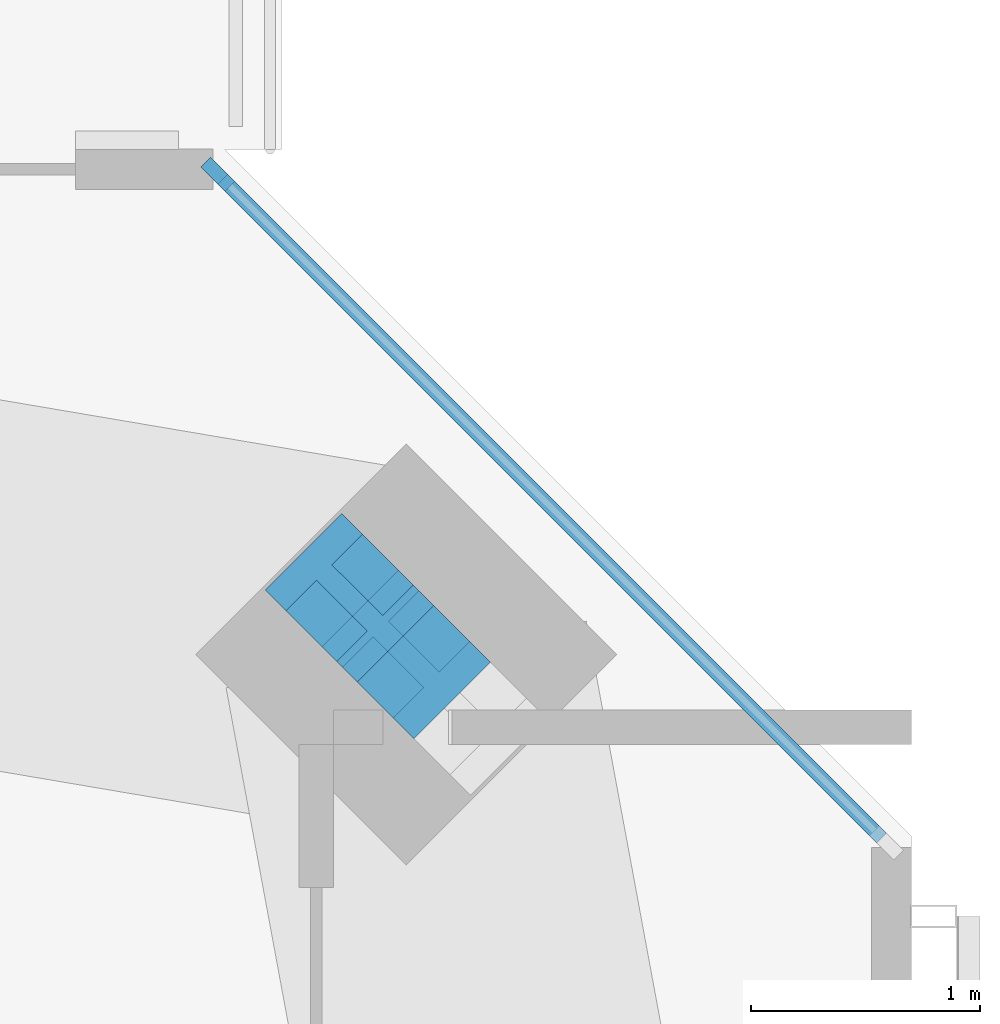
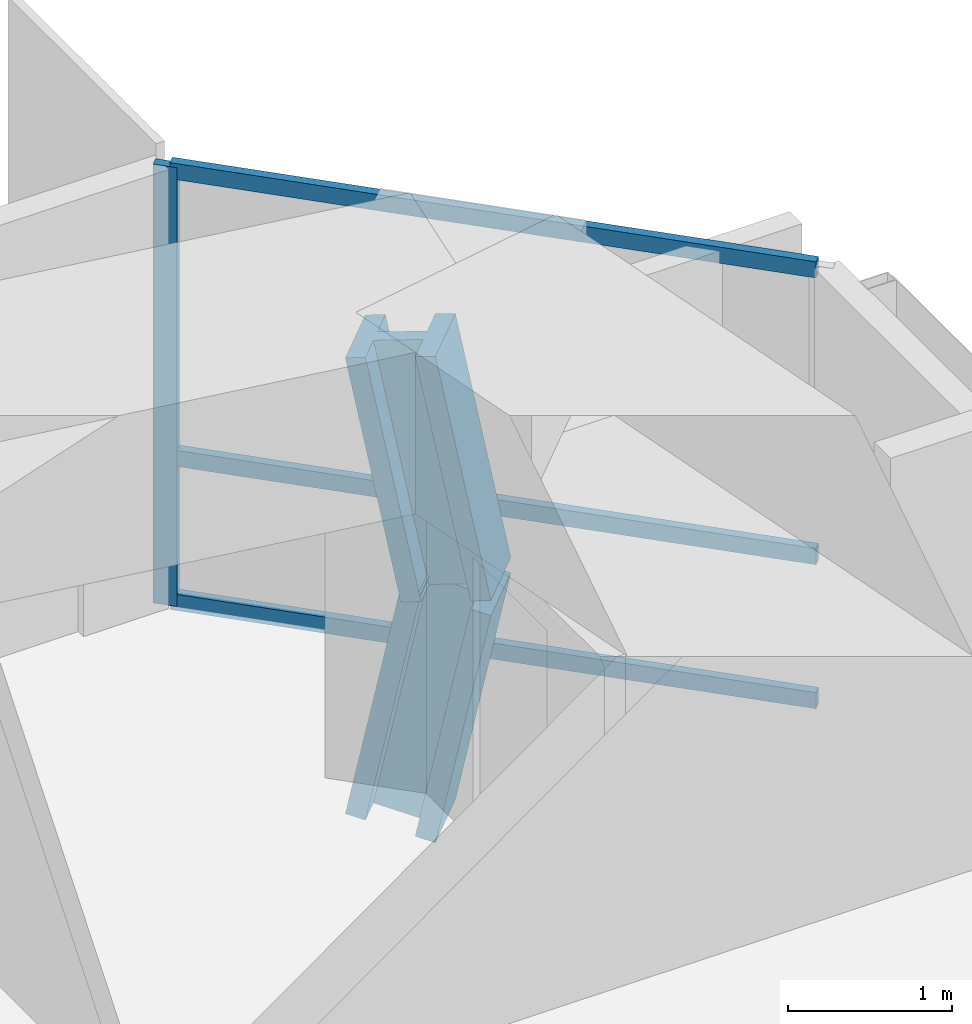
# One storey, part 12 of 20: 6 members, 1 element without a shape of its own.
"""IFC4 building model written with IfcOpenShell, lengths in metres."""

from ifc_helpers import new_model, si_unit, direction, frame, origin, origin_2d, place, context, subcontext, project, spatial, rectangle, i_section, extrude, material, material_profile, profile_set, type_object, element, aggregate, save


model = new_model("IFC4")

# Units and contexts
model_context = context("Model", 3, precision=1e-05, world=origin(), true_north=direction((0.0, 1.0)))
body_context = subcontext(model_context, "Body", "Model", "MODEL_VIEW")
ifc_project = project(units=[si_unit("LENGTHUNIT", "METRE"), si_unit("AREAUNIT", "SQUARE_METRE"), si_unit("VOLUMEUNIT", "CUBIC_METRE"), si_unit("PLANEANGLEUNIT", "RADIAN"), si_unit("MASSUNIT", "GRAM", prefix="KILO")], contexts=[model_context])

# Site, building, storey
site_placement = place(None, origin())
site = spatial("IfcSite", under=ifc_project, at=site_placement, CompositionType="ELEMENT")
building_placement = place(site_placement, origin())
building = spatial("IfcBuilding", under=site, at=building_placement, Name="Jalousie Tower", CompositionType="ELEMENT")
storey_placement = place(building_placement, frame((0.0, 0.0, 242.449951171875)))
storey = spatial("IfcBuildingStorey", under=building, at=storey_placement, Name="L66", CompositionType="ELEMENT", Elevation=242.449951171875)

# Curtain wall, members
ifc_material_1 = material(Name="Aluminium curtain wall", Category="aluminium")
curtain_wall_type = type_object("IfcCurtainWallType", Name="CORNER WINDOW WALL", PredefinedType="USERDEFINED", material=ifc_material_1)
curtain_wall_placement = place(storey_placement, origin())
curtain_wall = element("IfcCurtainWall", 1, at=curtain_wall_placement, inside=storey, type_object=curtain_wall_type, Name="Corner Window Wall L66 4", ObjectType="CORNER WINDOW WALL", PredefinedType="USERDEFINED")
ifc_material_2 = material(Name="Aluminium mullion", Category="aluminium")
ifc_material_profile_1 = material_profile(ifc_material_2, rectangle(XDim=0.06005859375, YDim=0.14990234375, at=origin_2d()), Name="MULLION 60x150")
ifc_profile_set_1 = profile_set([ifc_material_profile_1], Name="Aluminium mullion")
member_type_1 = type_object("IfcMemberType", Name="CORNER WINDOW WALL MULLION", PredefinedType="MULLION", material=ifc_profile_set_1)
member_1_placement = place(storey_placement, frame((53.469970703125, 33.891357421875, 0.0), z_axis=(0.0, 0.0, 1.0), x_axis=(-0.707106781187, -0.707106781187, 0.0)))
member_1 = element("IfcMember", 2, at=member_1_placement, type_object=member_type_1, Name="CW-C mullion 2", PredefinedType="MULLION", context=body_context, shape_type="SweptSolid", body=[
    extrude(rectangle(XDim=0.06005859375, YDim=0.14990234375, at=origin_2d()), origin(), (0.0, 0.0, 1.0), 3.260009765625),
])
ifc_material_3 = material(Name="Aluminium transom", Category="aluminium")
ifc_material_profile_2 = material_profile(ifc_material_3, rectangle(XDim=0.06005859375, YDim=0.1201171875, at=origin_2d()), Name="TRANSOM 60x120")
ifc_profile_set_2 = profile_set([ifc_material_profile_2], Name="Aluminium transom")
member_type_2 = type_object("IfcMemberType", Name="CORNER WINDOW WALL TRANSOM", PredefinedType="USERDEFINED", material=ifc_profile_set_2)
member_2_placement = place(storey_placement, frame((56.3701171875, 30.9912109375, 0.030029296875), z_axis=(-0.707106781187, 0.707106781187, 0.0), x_axis=(-0.707106781187, -0.707106781187, 0.0)))
member_2 = element("IfcMember", 3, at=member_2_placement, type_object=member_type_2, Name="CW-C transom 1.1", ObjectType="TRANSOM", PredefinedType="USERDEFINED", context=body_context, shape_type="SweptSolid", body=[
    extrude(rectangle(XDim=0.06005859375, YDim=0.1201171875, at=origin_2d()), origin(), (0.0, 0.0, 1.0), 4.0712890625),
])
member_3_placement = place(storey_placement, frame((56.3701171875, 30.9912109375, 1.10009765625), z_axis=(-0.707106781187, 0.707106781187, 0.0), x_axis=(-0.707106781187, -0.707106781187, 0.0)))
member_3 = element("IfcMember", 4, at=member_3_placement, type_object=member_type_2, Name="CW-C transom 1.2", ObjectType="TRANSOM", PredefinedType="USERDEFINED", context=body_context, shape_type="SweptSolid", body=[
    extrude(rectangle(XDim=0.06005859375, YDim=0.1201171875, at=origin_2d()), origin(), (0.0, 0.0, 1.0), 4.0712890625),
])
member_4_placement = place(storey_placement, frame((56.3701171875, 30.9912109375, 3.22998046875), z_axis=(-0.707106781187, 0.707106781187, 0.0), x_axis=(-0.707106781187, -0.707106781187, 0.0)))
member_4 = element("IfcMember", 5, at=member_4_placement, type_object=member_type_2, Name="CW-C transom 1.3", ObjectType="TRANSOM", PredefinedType="USERDEFINED", context=body_context, shape_type="SweptSolid", body=[
    extrude(rectangle(XDim=0.06005859375, YDim=0.1201171875, at=origin_2d()), origin(), (0.0, 0.0, 1.0), 4.0712890625),
])
aggregate(curtain_wall, [member_1, member_2, member_3, member_4])

# Members
ifc_material_4 = material(Name="Steel ASTM A992 Grade 50", Category="steel")
ifc_material_profile_3 = material_profile(ifc_material_4, i_section(OverallWidth=0.472412109375, OverallDepth=0.5791015625, WebThickness=0.094970703125, FlangeThickness=0.1298828125, at=origin_2d()), Name="W14X808")
ifc_profile_set_3 = profile_set([ifc_material_profile_3], Name="Steel ASTM A992 Grade 50")
member_type_3 = type_object("IfcMemberType", Name="PERIMETER BRACE W14X808", PredefinedType="BRACE", material=ifc_profile_set_3)
for number, where, z_axis, x_axis, name in (
    (6, (54.29296875, 31.79296875, 1.150146484375), (-0.138716051522, 0.138579250682, 0.980588419435), (-0.706757851183, -0.707455539091, 0.0), "Perimeter brace 08 L66 part 2"),
    (7, (54.04541015625, 32.040283203125, -0.599853515625), (0.138716051522, -0.138579250682, 0.980588419435), (0.706757851183, 0.707455539091, 0.0), "Perimeter brace 08 L66 part 3"),
):
    element("IfcMember", number, at=place(storey_placement, frame(where, z_axis=z_axis, x_axis=x_axis)), inside=storey, type_object=member_type_3, Name=name, PredefinedType="BRACE", context=body_context, shape_type="SweptSolid", body=[
        extrude(i_section(OverallWidth=0.472412109375, OverallDepth=0.5791015625, WebThickness=0.094970703125, FlangeThickness=0.1298828125, at=origin_2d()), origin(), (0.0, 0.0, 1.0), 1.78466796875),
    ])

save(model, "model.ifc")
